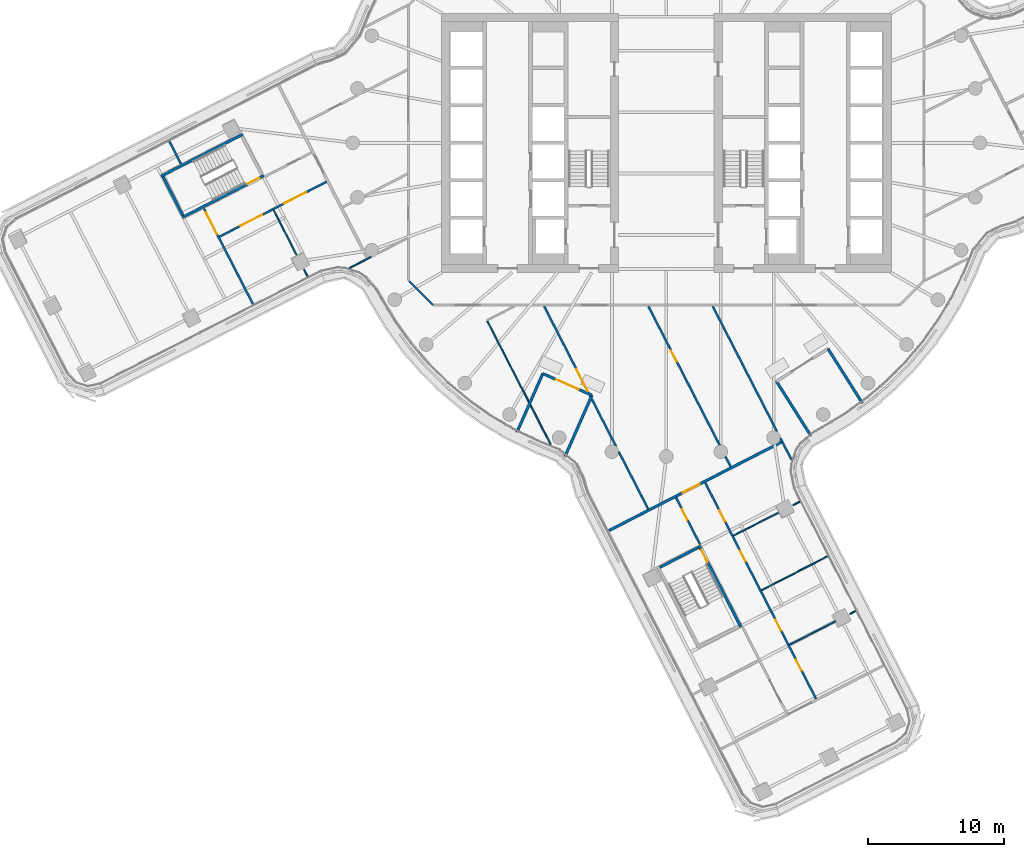
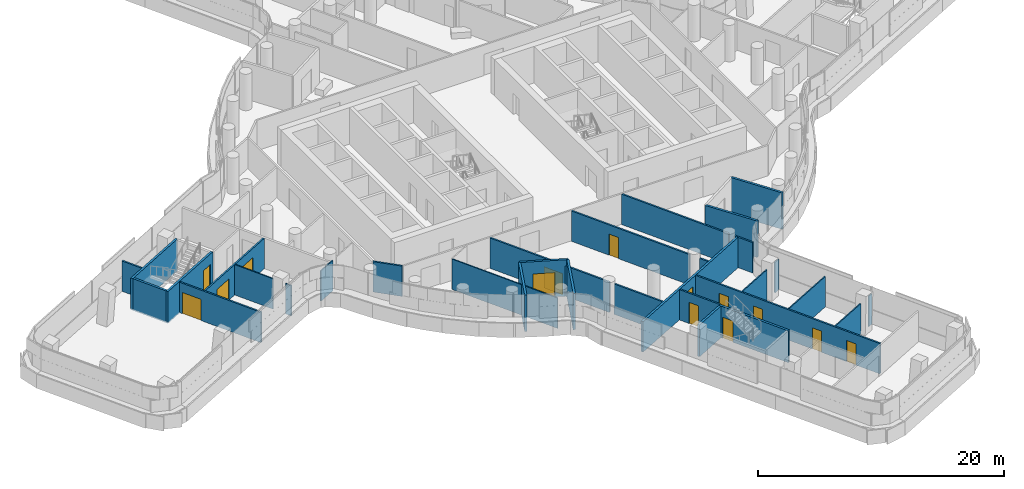
# One storey, part 22 of 37: 32 walls, 14 doors, 14 openings.
"""IFC4 building model written with IfcOpenShell, lengths in metres."""

from ifc_helpers import new_model, si_unit, direction, frame, frame_2d, origin, place, context, subcontext, project, spatial, polyline, rectangle, outline, extrude, material, layer, layer_set, type_object, element, fill, save


model = new_model("IFC4")

# Units and contexts
model_context = context("Model", 3, precision=1e-05, world=origin(), true_north=direction((0.0, 1.0)))
body_context = subcontext(model_context, "Body", "Model", "MODEL_VIEW")
ifc_project = project(units=[si_unit("LENGTHUNIT", "METRE"), si_unit("AREAUNIT", "SQUARE_METRE"), si_unit("VOLUMEUNIT", "CUBIC_METRE"), si_unit("PLANEANGLEUNIT", "RADIAN"), si_unit("MASSUNIT", "GRAM", prefix="KILO")], contexts=[model_context])

# Site, building, storey
site_placement = place(None, origin())
site = spatial("IfcSite", under=ifc_project, at=site_placement, CompositionType="ELEMENT")
building_placement = place(site_placement, origin())
building = spatial("IfcBuilding", under=site, at=building_placement, Name="Tamarind Cross Interchange Tower", CompositionType="ELEMENT")
storey_placement = place(building_placement, frame((0.0, 0.0, 133.0)))
storey = spatial("IfcBuildingStorey", under=building, at=storey_placement, Name="L32", CompositionType="ELEMENT", Elevation=133.0)

# Walls
ifc_material_1 = material(Name="Concrete C40", Category="concrete")
ifc_layer_1 = layer(ifc_material_1, 0.199951171875)
ifc_layer_set_1 = layer_set([ifc_layer_1], Name="Concrete C40")
wall_type_1 = type_object("IfcWallType", Name="Balcony and garden door wall", PredefinedType="SOLIDWALL", material=ifc_layer_set_1)
wall_1_placement = place(storey_placement, frame((8.0732421875, -17.48193359375, 0.0), z_axis=(0.0, 0.0, 1.0), x_axis=(0.534101065581, -0.845420635982, 0.0)))
element("IfcWall", 1, at=wall_1_placement, inside=storey, type_object=wall_type_1, Name="EXW-L32-WG-L32-SE-R0", PredefinedType="SOLIDWALL", context=body_context, shape_type="SweptSolid", body=[
    extrude(rectangle(XDim=4.75927734375, YDim=0.199951171875, at=frame_2d((2.379638671875, 0.0))), origin(), (0.0, 0.0, 1.0), 3.610107421875),
])
wall_2_placement = place(storey_placement, frame((11.85302734375, -15.09423828125, 0.0), z_axis=(0.0, 0.0, 1.0), x_axis=(0.534084671669, -0.845430992742, 0.0)))
element("IfcWall", 2, at=wall_2_placement, inside=storey, type_object=wall_type_1, Name="EXW-L32-WG-L32-SE-R1", PredefinedType="SOLIDWALL", context=body_context, shape_type="SweptSolid", body=[
    extrude(rectangle(XDim=4.708740234375, YDim=0.199951171875, at=frame_2d((2.3544921875, 0.0))), origin(), (0.0, 0.0, 1.0), 3.610107421875),
])

# Wall, opening, door
wall_3_placement = place(storey_placement, frame((-9.061279296875, -16.91796875, 0.0), z_axis=(0.0, 0.0, 1.0), x_axis=(0.915163294104, -0.403083297999, 0.0)))
wall_3 = element("IfcWall", 3, at=wall_3_placement, inside=storey, type_object=wall_type_1, Name="EXW-L32-WG-L32-WS", PredefinedType="SOLIDWALL", context=body_context, shape_type="SweptSolid", body=[
    extrude(rectangle(XDim=3.93994140625, YDim=0.199951171875, at=frame_2d((1.969970703125, 0.0))), origin(), (0.0, 0.0, 1.0), 3.610107421875),
])
opening_1_placement = place(wall_3_placement, frame((1.070068359375, 0.0, 0.0)))
opening_1 = element("IfcOpeningElement", 4, at=opening_1_placement, cuts=wall_3, Name="Opening D5", PredefinedType="OPENING", context=body_context, shape_type="SweptSolid", body=[
    extrude(rectangle(XDim=1.800048828125, YDim=2.39990234375, at=frame_2d((0.89990234375, 1.199951171875))), frame((0.0, 0.10986328125, 0.0), z_axis=(0.0, -1.0, 0.0), x_axis=(1.0, 0.0, 0.0)), (0.0, 0.0, 1.0), 0.219970703125),
])
ifc_material_2 = material(Name="Aluminium and toughened glass", Category="aluminium")
door_type_1 = type_object("IfcDoorType", Name="Roof garden door", OperationType="DOUBLE_DOOR_SINGLE_SWING", PredefinedType="DOOR", material=ifc_material_2)
door_1_placement = place(opening_1_placement, origin())
door_1 = element("IfcDoor", 5, at=door_1_placement, inside=storey, type_object=door_type_1, Name="DOR-L32-WG-L32-WS", OperationType="SINGLE_SWING_LEFT", OverallHeight=2.39990234375, OverallWidth=1.800048828125, PredefinedType="DOOR", context=body_context, shape_type="SweptSolid", body=[
    extrude(rectangle(XDim=1.800048828125, YDim=2.39990234375, at=frame_2d((0.89990234375, 1.199951171875))), frame((0.0, 0.02490234375, 0.0), z_axis=(0.0, -1.0, 0.0), x_axis=(1.0, 0.0, 0.0)), (0.0, 0.0, 1.0), 0.050048828125),
])
fill(opening_1, door_1)

# Walls
wall_4_placement = place(storey_placement, frame((-9.0615234375, -16.91796875, 0.0), z_axis=(0.0, 0.0, 1.0), x_axis=(-0.40309695737, -0.915157277717, 0.0)))
element("IfcWall", 6, at=wall_4_placement, inside=storey, type_object=wall_type_1, Name="EXW-L32-WG-L32-WS-R0", PredefinedType="SOLIDWALL", context=body_context, shape_type="SweptSolid", body=[
    extrude(rectangle(XDim=4.702880859375, YDim=0.199951171875, at=frame_2d((2.3515625, 0.0))), origin(), (0.0, 0.0, 1.0), 3.610107421875),
])
wall_5_placement = place(storey_placement, frame((-5.45556640625, -18.506103515625, 0.0), z_axis=(0.0, 0.0, 1.0), x_axis=(-0.403071348588, -0.915168557124, 0.0)))
element("IfcWall", 7, at=wall_5_placement, inside=storey, type_object=wall_type_1, Name="EXW-L32-WG-L32-WS-R1", PredefinedType="SOLIDWALL", context=body_context, shape_type="SweptSolid", body=[
    extrude(rectangle(XDim=4.892822265625, YDim=0.199951171875, at=frame_2d((2.4462890625, 0.0))), origin(), (0.0, 0.0, 1.0), 3.610107421875),
])
ifc_material_3 = material(Name="Gypsum board partition on steel studs", Category="steel")
ifc_layer_2 = layer(ifc_material_3, 0.10009765625)
ifc_layer_set_2 = layer_set([ifc_layer_2], Name="Gypsum board partition on steel studs")
wall_type_2 = type_object("IfcWallType", Name="Partition 100 mm EI 90", PredefinedType="PARTITIONING", material=ifc_layer_set_2)
wall_6_placement = place(storey_placement, frame((-28.802734375, -4.923583984375, 0.0), z_axis=(0.0, 0.0, 1.0), x_axis=(0.456510977647, -0.889717779573, 0.0)))
element("IfcWall", 8, at=wall_6_placement, inside=storey, type_object=wall_type_2, Name="Partition L32-003", PredefinedType="PARTITIONING", context=body_context, shape_type="SweptSolid", body=[
    extrude(rectangle(XDim=3.697998046875, YDim=0.10009765625, at=frame_2d((1.84912109375, 0.0))), origin(), (0.0, 0.0, 1.0), 3.010009765625),
])
wall_7_placement = place(storey_placement, frame((-26.569580078125, -9.2763671875, 0.0), z_axis=(0.0, 0.0, 1.0), x_axis=(0.456869393686, -0.889533786381, 0.0)))
element("IfcWall", 9, at=wall_7_placement, inside=storey, type_object=wall_type_2, Name="Partition L32-004", PredefinedType="PARTITIONING", context=body_context, shape_type="SweptSolid", body=[
    extrude(rectangle(XDim=0.56494140625, YDim=0.10009765625, at=frame_2d((0.282470703125, 0.0))), origin(), (0.0, 0.0, 1.0), 3.010009765625),
])
wall_8_placement = place(storey_placement, frame((-13.130126953125, -13.05859375, 0.0), z_axis=(0.0, 0.0, 1.0), x_axis=(0.456518382735, -0.88971398001, 0.0)))
element("IfcWall", 10, at=wall_8_placement, inside=storey, type_object=wall_type_2, Name="Partition L32-006", PredefinedType="PARTITIONING", context=body_context, shape_type="SweptSolid", body=[
    extrude(rectangle(XDim=10.19580078125, YDim=0.10009765625, at=frame_2d((5.097900390625, 0.0))), origin(), (0.0, 0.0, 1.0), 3.010009765625),
])
wall_9_placement = place(storey_placement, frame((-23.2353515625, -9.175537109375, 0.0), z_axis=(0.0, 0.0, 1.0), x_axis=(0.889731557273, 0.456484124578, 0.0)))
element("IfcWall", 11, at=wall_9_placement, inside=storey, type_object=wall_type_2, Name="Partition L32-044", PredefinedType="PARTITIONING", context=body_context, shape_type="SweptSolid", body=[
    extrude(rectangle(XDim=1.775634765625, YDim=0.10009765625, at=frame_2d((0.8876953125, 0.0))), origin(), (0.0, 0.0, 1.0), 3.010009765625),
])
wall_10_placement = place(storey_placement, frame((9.032958984375, -36.810302734375, 0.0), z_axis=(0.0, 0.0, 1.0), x_axis=(0.889728687262, 0.456489718464, 0.0)))
element("IfcWall", 12, at=wall_10_placement, inside=storey, type_object=wall_type_2, Name="Partition L32-059", PredefinedType="PARTITIONING", context=body_context, shape_type="SweptSolid", body=[
    extrude(rectangle(XDim=3.780029296875, YDim=0.10009765625, at=frame_2d((1.89013671875, 0.0))), origin(), (0.0, 0.0, 1.0), 3.010009765625),
])
wall_11_placement = place(storey_placement, frame((13.458251953125, -34.539794921875, 0.0), z_axis=(0.0, 0.0, 1.0), x_axis=(0.889768357332, 0.456412390598, 0.0)))
element("IfcWall", 13, at=wall_11_placement, inside=storey, type_object=wall_type_2, Name="Partition L32-060", PredefinedType="PARTITIONING", context=body_context, shape_type="SweptSolid", body=[
    extrude(rectangle(XDim=0.4658203125, YDim=0.10009765625, at=frame_2d((0.23291015625, 0.0))), origin(), (0.0, 0.0, 1.0), 3.010009765625),
])
wall_12_placement = place(storey_placement, frame((4.92822265625, -28.800537109375, 0.0), z_axis=(0.0, 0.0, 1.0), x_axis=(0.88969767161, 0.456550164968, 0.0)))
element("IfcWall", 14, at=wall_12_placement, inside=storey, type_object=wall_type_2, Name="Partition L32-062", PredefinedType="PARTITIONING", context=body_context, shape_type="SweptSolid", body=[
    extrude(rectangle(XDim=3.69287109375, YDim=0.10009765625, at=frame_2d((1.846435546875, 0.0))), origin(), (0.0, 0.0, 1.0), 3.010009765625),
])
wall_13_placement = place(storey_placement, frame((9.2763671875, -26.569580078125, 0.0), z_axis=(0.0, 0.0, 1.0), x_axis=(0.889533786381, 0.456869393686, 0.0)))
element("IfcWall", 15, at=wall_13_placement, inside=storey, type_object=wall_type_2, Name="Partition L32-063", PredefinedType="PARTITIONING", context=body_context, shape_type="SweptSolid", body=[
    extrude(rectangle(XDim=0.56494140625, YDim=0.10009765625, at=frame_2d((0.282470703125, 0.0))), origin(), (0.0, 0.0, 1.0), 3.010009765625),
])
wall_14_placement = place(storey_placement, frame((6.982177734375, -32.803466796875, 0.0), z_axis=(0.0, 0.0, 1.0), x_axis=(0.889704900223, 0.456536078004, 0.0)))
element("IfcWall", 16, at=wall_14_placement, inside=storey, type_object=wall_type_2, Name="Partition L32-064", PredefinedType="PARTITIONING", context=body_context, shape_type="SweptSolid", body=[
    extrude(rectangle(XDim=5.443359375, YDim=0.10009765625, at=frame_2d((2.7216796875, 0.0))), origin(), (0.0, 0.0, 1.0), 3.010009765625),
])
ifc_layer_3 = layer(ifc_material_3, 0.14990234375)
ifc_layer_set_3 = layer_set([ifc_layer_3], Name="Gypsum board partition on steel studs")
wall_type_3 = type_object("IfcWallType", Name="Partition 150 mm EI 120", PredefinedType="PARTITIONING", material=ifc_layer_set_3)
wall_15_placement = place(storey_placement, frame((-36.446533203125, 0.1162109375, 0.0), z_axis=(0.0, 0.0, 1.0), x_axis=(0.456697932763, -0.889621828762, 0.0)))
element("IfcWall", 17, at=wall_15_placement, inside=storey, type_object=wall_type_3, Name="Partition L32-001", PredefinedType="PARTITIONING", context=body_context, shape_type="SweptSolid", body=[
    extrude(rectangle(XDim=1.858642578125, YDim=0.14990234375, at=frame_2d((0.92919921875, 0.0))), origin(), (0.0, 0.0, 1.0), 3.010009765625),
])

# Wall, opening, door
wall_16_placement = place(storey_placement, frame((-33.916748046875, -4.8115234375, 0.0), z_axis=(0.0, 0.0, 1.0), x_axis=(0.456714601122, -0.889613271665, 0.0)))
wall_16 = element("IfcWall", 18, at=wall_16_placement, inside=storey, type_object=wall_type_3, Name="Partition L32-002", PredefinedType="PARTITIONING", context=body_context, shape_type="SweptSolid", body=[
    extrude(rectangle(XDim=7.883056640625, YDim=0.14990234375, at=frame_2d((3.94140625, 0.0))), origin(), (0.0, 0.0, 1.0), 3.010009765625),
])
opening_2_placement = place(wall_16_placement, frame((0.300048828125, 0.0, 0.0)))
opening_2 = element("IfcOpeningElement", 19, at=opening_2_placement, cuts=wall_16, Name="Opening D01", PredefinedType="OPENING", context=body_context, shape_type="SweptSolid", body=[
    extrude(rectangle(XDim=1.800048828125, YDim=2.10009765625, at=frame_2d((0.89990234375, 1.050048828125))), frame((0.0, 0.0849609375, 0.0), z_axis=(0.0, -1.0, 0.0), x_axis=(1.0, 0.0, 0.0)), (0.0, 0.0, 1.0), 0.169921875),
])
ifc_material_4 = material(Name="Fire-resisting door set")
door_type_2 = type_object("IfcDoorType", Name="Interior door 1800 x 2100 FD60S", OperationType="DOUBLE_DOOR_SINGLE_SWING", PredefinedType="DOOR", material=ifc_material_4)
door_2_placement = place(opening_2_placement, frame((1.800048828125, 0.0, 0.0), z_axis=(0.0, 0.0, 1.0), x_axis=(-1.0, 0.0, 0.0)))
door_2 = element("IfcDoor", 20, at=door_2_placement, inside=storey, type_object=door_type_2, Name="Door D01", OperationType="DOUBLE_DOOR_SINGLE_SWING", OverallHeight=2.10009765625, OverallWidth=1.800048828125, PredefinedType="DOOR", context=body_context, shape_type="SweptSolid", body=[
    extrude(rectangle(XDim=1.800048828125, YDim=2.10009765625, at=frame_2d((0.89990234375, 1.050048828125))), frame((0.0, 0.02490234375, 0.0), z_axis=(0.0, -1.0, 0.0), x_axis=(1.0, 0.0, 0.0)), (0.0, 0.0, 1.0), 0.050048828125),
])
fill(opening_2, door_2)

wall_17_placement = place(storey_placement, frame((-8.9560546875, -11.993408203125, 0.0), z_axis=(0.0, 0.0, 1.0), x_axis=(0.456540854067, -0.889702449456, 0.0)))
wall_17 = element("IfcWall", 21, at=wall_17_placement, inside=storey, type_object=wall_type_3, Name="Partition L32-009", PredefinedType="PARTITIONING", context=body_context, shape_type="SweptSolid", body=[
    extrude(rectangle(XDim=11.5390625, YDim=0.14990234375, at=frame_2d((5.76953125, 0.0))), origin(), (0.0, 0.0, 1.0), 3.010009765625),
])
opening_3_placement = place(wall_17_placement, frame((5.195068359375, 0.0, 0.0)))
opening_3 = element("IfcOpeningElement", 22, at=opening_3_placement, cuts=wall_17, Name="Opening D03", PredefinedType="OPENING", context=body_context, shape_type="SweptSolid", body=[
    extrude(rectangle(XDim=1.800048828125, YDim=2.10009765625, at=frame_2d((0.89990234375, 1.050048828125))), frame((0.0, 0.0849609375, 0.0), z_axis=(0.0, -1.0, 0.0), x_axis=(1.0, 0.0, 0.0)), (0.0, 0.0, 1.0), 0.169921875),
])
door_3_placement = place(opening_3_placement, frame((1.800048828125, 0.0, 0.0), z_axis=(0.0, 0.0, 1.0), x_axis=(-1.0, 0.0, 0.0)))
door_3 = element("IfcDoor", 23, at=door_3_placement, inside=storey, type_object=door_type_2, Name="Door D03", OperationType="DOUBLE_DOOR_SINGLE_SWING", OverallHeight=2.10009765625, OverallWidth=1.800048828125, PredefinedType="DOOR", context=body_context, shape_type="SweptSolid", body=[
    extrude(rectangle(XDim=1.800048828125, YDim=2.10009765625, at=frame_2d((0.89990234375, 1.050048828125))), frame((0.0, 0.02490234375, 0.0), z_axis=(0.0, -1.0, 0.0), x_axis=(1.0, 0.0, 0.0)), (0.0, 0.0, 1.0), 0.050048828125),
])
fill(opening_3, door_3)

# Wall
wall_18_placement = place(storey_placement, frame((-3.485107421875, -22.655029296875, 0.0), z_axis=(0.0, 0.0, 1.0), x_axis=(0.456522971759, -0.889711625335, 0.0)))
element("IfcWall", 24, at=wall_18_placement, inside=storey, type_object=wall_type_3, Name="Partition L32-010", PredefinedType="PARTITIONING", context=body_context, shape_type="SweptSolid", body=[
    extrude(rectangle(XDim=4.708251953125, YDim=0.14990234375, at=frame_2d((2.35400390625, 0.0))), origin(), (0.0, 0.0, 1.0), 3.010009765625),
])

# Wall, opening, door
wall_19_placement = place(storey_placement, frame((-1.31298828125, -11.993408203125, 0.0), z_axis=(0.0, 0.0, 1.0), x_axis=(0.456517816725, -0.889714270433, 0.0)))
wall_19 = element("IfcWall", 25, at=wall_19_placement, inside=storey, type_object=wall_type_3, Name="Partition L32-017", PredefinedType="PARTITIONING", context=body_context, shape_type="SweptSolid", body=[
    extrude(rectangle(XDim=11.431640625, YDim=0.14990234375, at=frame_2d((5.7158203125, 0.0))), origin(), (0.0, 0.0, 1.0), 3.010009765625),
])
opening_4_placement = place(wall_19_placement, frame((3.64501953125, 0.0, 0.0)))
opening_4 = element("IfcOpeningElement", 26, at=opening_4_placement, cuts=wall_19, Name="Opening D09", PredefinedType="OPENING", context=body_context, shape_type="SweptSolid", body=[
    extrude(rectangle(XDim=0.89990234375, YDim=2.10009765625, at=frame_2d((0.449951171875, 1.050048828125))), frame((0.0, 0.0849609375, 0.0), z_axis=(0.0, -1.0, 0.0), x_axis=(1.0, 0.0, 0.0)), (0.0, 0.0, 1.0), 0.169921875),
])
door_type_3 = type_object("IfcDoorType", Name="Interior door 900 x 2100 FD60S", OperationType="SINGLE_SWING_LEFT", PredefinedType="DOOR", material=ifc_material_4)
door_4_placement = place(opening_4_placement, origin())
door_4 = element("IfcDoor", 27, at=door_4_placement, inside=storey, type_object=door_type_3, Name="Door D09", OperationType="SINGLE_SWING_RIGHT", OverallHeight=2.10009765625, OverallWidth=0.89990234375, PredefinedType="DOOR", context=body_context, shape_type="SweptSolid", body=[
    extrude(rectangle(XDim=0.89990234375, YDim=2.10009765625, at=frame_2d((0.449951171875, 1.050048828125))), frame((0.0, 0.02490234375, 0.0), z_axis=(0.0, -1.0, 0.0), x_axis=(1.0, 0.0, 0.0)), (0.0, 0.0, 1.0), 0.050048828125),
])
fill(opening_4, door_4)

# Wall
wall_20_placement = place(storey_placement, frame((4.3369140625, -23.00439453125, 0.0), z_axis=(0.0, 0.0, 1.0), x_axis=(0.456575953503, -0.889684437698, 0.0)))
element("IfcWall", 28, at=wall_20_placement, inside=storey, type_object=wall_type_3, Name="Partition L32-018", PredefinedType="PARTITIONING", context=body_context, shape_type="SweptSolid", body=[
    extrude(rectangle(XDim=0.82177734375, YDim=0.14990234375, at=frame_2d((0.410888671875, 0.0))), origin(), (0.0, 0.0, 1.0), 3.010009765625),
])

# Wall, opening, door
wall_21_placement = place(storey_placement, frame((0.712646484375, -26.01806640625, 0.0), z_axis=(0.0, 0.0, 1.0), x_axis=(0.456676166245, -0.889633002526, 0.0)))
wall_21 = element("IfcWall", 29, at=wall_21_placement, inside=storey, type_object=wall_type_3, Name="Partition L32-020", PredefinedType="PARTITIONING", context=body_context, shape_type="SweptSolid", body=[
    extrude(rectangle(XDim=3.85986328125, YDim=0.14990234375, at=frame_2d((1.929931640625, 0.0))), origin(), (0.0, 0.0, 1.0), 3.010009765625),
])
opening_5_placement = place(wall_21_placement, frame((0.949951171875, 0.0, 0.0)))
opening_5 = element("IfcOpeningElement", 30, at=opening_5_placement, cuts=wall_21, Name="Opening D11", PredefinedType="OPENING", context=body_context, shape_type="SweptSolid", body=[
    extrude(rectangle(XDim=0.89990234375, YDim=2.10009765625, at=frame_2d((0.449951171875, 1.050048828125))), frame((0.0, 0.0849609375, 0.0), z_axis=(0.0, -1.0, 0.0), x_axis=(1.0, 0.0, 0.0)), (0.0, 0.0, 1.0), 0.169921875),
])
door_5_placement = place(opening_5_placement, frame((0.89990234375, 0.0, 0.0), z_axis=(0.0, 0.0, 1.0), x_axis=(-1.0, 0.0, 0.0)))
door_5 = element("IfcDoor", 31, at=door_5_placement, inside=storey, type_object=door_type_3, Name="Door D11", OperationType="SINGLE_SWING_LEFT", OverallHeight=2.10009765625, OverallWidth=0.89990234375, PredefinedType="DOOR", context=body_context, shape_type="SweptSolid", body=[
    extrude(rectangle(XDim=0.89990234375, YDim=2.10009765625, at=frame_2d((0.449951171875, 1.050048828125))), frame((0.0, 0.02490234375, 0.0), z_axis=(0.0, -1.0, 0.0), x_axis=(1.0, 0.0, 0.0)), (0.0, 0.0, 1.0), 0.050048828125),
])
fill(opening_5, door_5)

# Wall, openings, doors
wall_22_placement = place(storey_placement, frame((2.8486328125, -24.922119140625, 0.0), z_axis=(0.0, 0.0, 1.0), x_axis=(0.456500214421, -0.889723302063, 0.0)))
wall_22 = element("IfcWall", 32, at=wall_22_placement, inside=storey, type_object=wall_type_3, Name="Partition L32-024", PredefinedType="PARTITIONING", context=body_context, shape_type="SweptSolid", body=[
    extrude(rectangle(XDim=17.81982421875, YDim=0.14990234375, at=frame_2d((8.909912109375, 0.0))), origin(), (0.0, 0.0, 1.0), 3.010009765625),
])
opening_6_placement = place(wall_22_placement, frame((2.300048828125, 0.0, 0.0)))
opening_6 = element("IfcOpeningElement", 33, at=opening_6_placement, cuts=wall_22, Name="Opening D15", PredefinedType="OPENING", context=body_context, shape_type="SweptSolid", body=[
    extrude(rectangle(XDim=0.89990234375, YDim=2.10009765625, at=frame_2d((0.449951171875, 1.050048828125))), frame((0.0, 0.0849609375, 0.0), z_axis=(0.0, -1.0, 0.0), x_axis=(1.0, 0.0, 0.0)), (0.0, 0.0, 1.0), 0.169921875),
])
opening_7_placement = place(wall_22_placement, frame((5.60009765625, 0.0, 0.0)))
opening_7 = element("IfcOpeningElement", 34, at=opening_7_placement, cuts=wall_22, Name="Opening D16", PredefinedType="OPENING", context=body_context, shape_type="SweptSolid", body=[
    extrude(rectangle(XDim=0.89990234375, YDim=2.10009765625, at=frame_2d((0.449951171875, 1.050048828125))), frame((0.0, 0.0849609375, 0.0), z_axis=(0.0, -1.0, 0.0), x_axis=(1.0, 0.0, 0.0)), (0.0, 0.0, 1.0), 0.169921875),
])
opening_8_placement = place(wall_22_placement, frame((11.29931640625, 0.0, 0.0)))
opening_8 = element("IfcOpeningElement", 35, at=opening_8_placement, cuts=wall_22, Name="Opening D17", PredefinedType="OPENING", context=body_context, shape_type="SweptSolid", body=[
    extrude(rectangle(XDim=0.89990234375, YDim=2.10009765625, at=frame_2d((0.449951171875, 1.050048828125))), frame((0.0, 0.0849609375, 0.0), z_axis=(0.0, -1.0, 0.0), x_axis=(1.0, 0.0, 0.0)), (0.0, 0.0, 1.0), 0.169921875),
])
opening_9_placement = place(wall_22_placement, frame((14.599853515625, 0.0, 0.0)))
opening_9 = element("IfcOpeningElement", 36, at=opening_9_placement, cuts=wall_22, Name="Opening D18", PredefinedType="OPENING", context=body_context, shape_type="SweptSolid", body=[
    extrude(rectangle(XDim=0.89990234375, YDim=2.10009765625, at=frame_2d((0.449951171875, 1.050048828125))), frame((0.0, 0.0849609375, 0.0), z_axis=(0.0, -1.0, 0.0), x_axis=(1.0, 0.0, 0.0)), (0.0, 0.0, 1.0), 0.169921875),
])
door_6_placement = place(opening_6_placement, origin())
door_6 = element("IfcDoor", 37, at=door_6_placement, inside=storey, type_object=door_type_3, Name="Door D15", OperationType="SINGLE_SWING_RIGHT", OverallHeight=2.10009765625, OverallWidth=0.89990234375, PredefinedType="DOOR", context=body_context, shape_type="SweptSolid", body=[
    extrude(rectangle(XDim=0.89990234375, YDim=2.10009765625, at=frame_2d((0.449951171875, 1.050048828125))), frame((0.0, 0.02490234375, 0.0), z_axis=(0.0, -1.0, 0.0), x_axis=(1.0, 0.0, 0.0)), (0.0, 0.0, 1.0), 0.050048828125),
])
fill(opening_6, door_6)
door_7_placement = place(opening_7_placement, origin())
door_7 = element("IfcDoor", 38, at=door_7_placement, inside=storey, type_object=door_type_3, Name="Door D16", OperationType="SINGLE_SWING_RIGHT", OverallHeight=2.10009765625, OverallWidth=0.89990234375, PredefinedType="DOOR", context=body_context, shape_type="SweptSolid", body=[
    extrude(rectangle(XDim=0.89990234375, YDim=2.10009765625, at=frame_2d((0.449951171875, 1.050048828125))), frame((0.0, 0.02490234375, 0.0), z_axis=(0.0, -1.0, 0.0), x_axis=(1.0, 0.0, 0.0)), (0.0, 0.0, 1.0), 0.050048828125),
])
fill(opening_7, door_7)
door_8_placement = place(opening_8_placement, origin())
door_8 = element("IfcDoor", 39, at=door_8_placement, inside=storey, type_object=door_type_3, Name="Door D17", OperationType="SINGLE_SWING_LEFT", OverallHeight=2.10009765625, OverallWidth=0.89990234375, PredefinedType="DOOR", context=body_context, shape_type="SweptSolid", body=[
    extrude(rectangle(XDim=0.89990234375, YDim=2.10009765625, at=frame_2d((0.449951171875, 1.050048828125))), frame((0.0, 0.02490234375, 0.0), z_axis=(0.0, -1.0, 0.0), x_axis=(1.0, 0.0, 0.0)), (0.0, 0.0, 1.0), 0.050048828125),
])
fill(opening_8, door_8)
door_9_placement = place(opening_9_placement, origin())
door_9 = element("IfcDoor", 40, at=door_9_placement, inside=storey, type_object=door_type_3, Name="Door D18", OperationType="SINGLE_SWING_LEFT", OverallHeight=2.10009765625, OverallWidth=0.89990234375, PredefinedType="DOOR", context=body_context, shape_type="SweptSolid", body=[
    extrude(rectangle(XDim=0.89990234375, YDim=2.10009765625, at=frame_2d((0.449951171875, 1.050048828125))), frame((0.0, 0.02490234375, 0.0), z_axis=(0.0, -1.0, 0.0), x_axis=(1.0, 0.0, 0.0)), (0.0, 0.0, 1.0), 0.050048828125),
])
fill(opening_9, door_9)

# Walls
wall_23_placement = place(storey_placement, frame((3.406982421875, -11.993408203125, 0.0), z_axis=(0.0, 0.0, 1.0), x_axis=(0.456609270215, -0.889667339152, 0.0)))
element("IfcWall", 41, at=wall_23_placement, inside=storey, type_object=wall_type_3, Name="Partition L32-025", PredefinedType="PARTITIONING", context=body_context, shape_type="SweptSolid", body=[
    extrude(rectangle(XDim=10.314453125, YDim=0.14990234375, at=frame_2d((5.1572265625, 0.0))), origin(), (0.0, 0.0, 1.0), 3.010009765625),
])
wall_24_placement = place(storey_placement, frame((8.365234375, -21.654541015625, 0.0), z_axis=(0.0, 0.0, 1.0), x_axis=(0.456704681847, -0.889618364007, 0.0)))
element("IfcWall", 42, at=wall_24_placement, inside=storey, type_object=wall_type_3, Name="Partition L32-026", PredefinedType="PARTITIONING", context=body_context, shape_type="SweptSolid", body=[
    extrude(rectangle(XDim=1.775390625, YDim=0.14990234375, at=frame_2d((0.8876953125, 0.0))), origin(), (0.0, 0.0, 1.0), 3.010009765625),
])
wall_25_placement = place(storey_placement, frame((-18.87158203125, -10.12841796875, 0.0), z_axis=(0.0, 0.0, 1.0), x_axis=(0.707106781187, -0.707106781187, 0.0)))
element("IfcWall", 43, at=wall_25_placement, inside=storey, type_object=wall_type_3, Name="Partition L32-034", PredefinedType="PARTITIONING", context=body_context, shape_type="SweptSolid", body=[
    extrude(rectangle(XDim=2.465087890625, YDim=0.14990234375, at=frame_2d((1.232421875, 0.0))), origin(), (0.0, 0.0, 1.0), 3.010009765625),
])

# Wall, openings, doors
wall_26_placement = place(storey_placement, frame((-32.768798828125, -6.87451171875, 0.0), z_axis=(0.0, 0.0, 1.0), x_axis=(0.889705612148, 0.45653469059, 0.0)))
wall_26 = element("IfcWall", 44, at=wall_26_placement, inside=storey, type_object=wall_type_3, Name="Partition L32-038", PredefinedType="PARTITIONING", context=body_context, shape_type="SweptSolid", body=[
    extrude(rectangle(XDim=8.8193359375, YDim=0.14990234375, at=frame_2d((4.40966796875, 0.0))), origin(), (0.0, 0.0, 1.0), 3.010009765625),
])
opening_10_placement = place(wall_26_placement, frame((1.719970703125, 0.0, 0.0)))
opening_10 = element("IfcOpeningElement", 45, at=opening_10_placement, cuts=wall_26, Name="Opening D27", PredefinedType="OPENING", context=body_context, shape_type="SweptSolid", body=[
    extrude(rectangle(XDim=1.800048828125, YDim=2.10009765625, at=frame_2d((0.89990234375, 1.050048828125))), frame((0.0, 0.0849609375, 0.0), z_axis=(0.0, -1.0, 0.0), x_axis=(1.0, 0.0, 0.0)), (0.0, 0.0, 1.0), 0.169921875),
])
opening_11_placement = place(wall_26_placement, frame((5.319091796875, 0.0, 0.0)))
opening_11 = element("IfcOpeningElement", 46, at=opening_11_placement, cuts=wall_26, Name="Opening D28", PredefinedType="OPENING", context=body_context, shape_type="SweptSolid", body=[
    extrude(rectangle(XDim=1.800048828125, YDim=2.10009765625, at=frame_2d((0.89990234375, 1.050048828125))), frame((0.0, 0.0849609375, 0.0), z_axis=(0.0, -1.0, 0.0), x_axis=(1.0, 0.0, 0.0)), (0.0, 0.0, 1.0), 0.169921875),
])
door_10_placement = place(opening_10_placement, frame((1.800048828125, 0.0, 0.0), z_axis=(0.0, 0.0, 1.0), x_axis=(-1.0, 0.0, 0.0)))
door_10 = element("IfcDoor", 47, at=door_10_placement, inside=storey, type_object=door_type_2, Name="Door D27", OperationType="DOUBLE_DOOR_SINGLE_SWING", OverallHeight=2.10009765625, OverallWidth=1.800048828125, PredefinedType="DOOR", context=body_context, shape_type="SweptSolid", body=[
    extrude(rectangle(XDim=1.800048828125, YDim=2.10009765625, at=frame_2d((0.89990234375, 1.050048828125))), frame((0.0, 0.02490234375, 0.0), z_axis=(0.0, -1.0, 0.0), x_axis=(1.0, 0.0, 0.0)), (0.0, 0.0, 1.0), 0.050048828125),
])
fill(opening_10, door_10)
door_11_placement = place(opening_11_placement, frame((1.800048828125, 0.0, 0.0), z_axis=(0.0, 0.0, 1.0), x_axis=(-1.0, 0.0, 0.0)))
door_11 = element("IfcDoor", 48, at=door_11_placement, inside=storey, type_object=door_type_2, Name="Door D28", OperationType="DOUBLE_DOOR_SINGLE_SWING", OverallHeight=2.10009765625, OverallWidth=1.800048828125, PredefinedType="DOOR", context=body_context, shape_type="SweptSolid", body=[
    extrude(rectangle(XDim=1.800048828125, YDim=2.10009765625, at=frame_2d((0.89990234375, 1.050048828125))), frame((0.0, 0.02490234375, 0.0), z_axis=(0.0, -1.0, 0.0), x_axis=(1.0, 0.0, 0.0)), (0.0, 0.0, 1.0), 0.050048828125),
])
fill(opening_11, door_11)

# Wall, opening, door
ifc_layer_4 = layer(ifc_material_3, 0.199951171875)
ifc_layer_set_4 = layer_set([ifc_layer_4], Name="Gypsum board partition on steel studs")
wall_type_4 = type_object("IfcWallType", Name="Partition 200 mm EI 180", PredefinedType="PARTITIONING", material=ifc_layer_set_4)
wall_27_placement = place(storey_placement, frame((-4.22509765625, -28.439453125, 0.0), z_axis=(0.0, 0.0, 1.0), x_axis=(0.889694266908, 0.456556799787, 0.0)))
wall_27 = element("IfcWall", 49, at=wall_27_placement, inside=storey, type_object=wall_type_4, Name="Partition L32-056", PredefinedType="PARTITIONING", context=body_context, shape_type="SweptSolid", body=[
    extrude(rectangle(XDim=14.21923828125, YDim=0.199951171875, at=frame_2d((7.109619140625, 0.0))), origin(), (0.0, 0.0, 1.0), 3.010009765625),
])
opening_12_placement = place(wall_27_placement, frame((6.0986328125, 0.0, 0.0)))
opening_12 = element("IfcOpeningElement", 50, at=opening_12_placement, cuts=wall_27, Name="Opening D33", PredefinedType="OPENING", context=body_context, shape_type="SweptSolid", body=[
    extrude(rectangle(XDim=1.39990234375, YDim=2.10009765625, at=frame_2d((0.699951171875, 1.050048828125))), frame((0.0, 0.10986328125, 0.0), z_axis=(0.0, -1.0, 0.0), x_axis=(1.0, 0.0, 0.0)), (0.0, 0.0, 1.0), 0.219970703125),
])
door_type_4 = type_object("IfcDoorType", Name="Interior door 1400 x 2100 FD120S", OperationType="DOUBLE_DOOR_SINGLE_SWING", PredefinedType="DOOR", material=ifc_material_4)
door_12_placement = place(opening_12_placement, origin())
door_12 = element("IfcDoor", 51, at=door_12_placement, inside=storey, type_object=door_type_4, Name="Door D33", OperationType="DOUBLE_DOOR_SINGLE_SWING", OverallHeight=2.10009765625, OverallWidth=1.39990234375, PredefinedType="DOOR", context=body_context, shape_type="SweptSolid", body=[
    extrude(rectangle(XDim=1.39990234375, YDim=2.10009765625, at=frame_2d((0.699951171875, 1.050048828125))), frame((0.0, 0.02490234375, 0.0), z_axis=(0.0, -1.0, 0.0), x_axis=(1.0, 0.0, 0.0)), (0.0, 0.0, 1.0), 0.050048828125),
])
fill(opening_12, door_12)

ifc_layer_5 = layer(ifc_material_1, 0.199951171875)
ifc_layer_set_5 = layer_set([ifc_layer_5], Name="Concrete C40")
wall_type_5 = type_object("IfcWallType", Name="Stair shaft wall 200 mm Concrete C40", PredefinedType="SHEAR", material=ifc_layer_set_5)
wall_28_placement = place(storey_placement, frame((-29.533203125, -2.404541015625, -0.139892578125), z_axis=(0.0, 0.0, 1.0), x_axis=(-0.889699446703, -0.456546705756, 0.0)))
wall_28 = element("IfcWall", 52, at=wall_28_placement, inside=storey, type_object=wall_type_5, Name="Core wall CWL-L32-ST5-H", PredefinedType="SHEAR", context=body_context, shape_type="SweptSolid", body=[
    extrude(rectangle(XDim=6.699951171875, YDim=0.199951171875, at=frame_2d((3.35009765625, 0.0))), origin(), (0.0, 0.0, 1.0), 3.14990234375),
])
opening_13_placement = place(wall_28_placement, frame((0.35009765625, 0.0, 0.0)))
opening_13 = element("IfcOpeningElement", 53, at=opening_13_placement, cuts=wall_28, Name="Opening ST5L32", PredefinedType="OPENING", context=body_context, shape_type="SweptSolid", body=[
    extrude(rectangle(XDim=1.0, YDim=2.10009765625, at=frame_2d((0.5, 1.050048828125))), frame((0.0, 0.10986328125, 0.0), z_axis=(0.0, -1.0, 0.0), x_axis=(1.0, 0.0, 0.0)), (0.0, 0.0, 1.0), 0.219970703125),
])
ifc_material_5 = material(Name="Steel, fire-resisting", Category="steel")
door_type_5 = type_object("IfcDoorType", Name="Core fire door 1000 x 2100 FD90", OperationType="SINGLE_SWING_LEFT", PredefinedType="DOOR", material=ifc_material_5)
door_13_placement = place(opening_13_placement, origin())
door_13 = element("IfcDoor", 54, at=door_13_placement, inside=storey, type_object=door_type_5, Name="L32 stair door ST5", OperationType="SINGLE_SWING_LEFT", OverallHeight=2.10009765625, OverallWidth=1.0, PredefinedType="DOOR", context=body_context, shape_type="SweptSolid", body=[
    extrude(rectangle(XDim=1.0, YDim=2.10009765625, at=frame_2d((0.5, 1.050048828125))), frame((0.0, 0.02490234375, 0.0), z_axis=(0.0, -1.0, 0.0), x_axis=(1.0, 0.0, 0.0)), (0.0, 0.0, 1.0), 0.050048828125),
])
fill(opening_13, door_13)

# Walls
wall_29_placement = place(storey_placement, frame((-31.08544921875, 0.62060546875, -0.139892578125), z_axis=(0.0, 0.0, 1.0), x_axis=(-0.889684645268, -0.456575549033, 0.0)))
element("IfcWall", 55, at=wall_29_placement, inside=storey, type_object=wall_type_5, Name="Core wall CWL-L32-ST5-C", PredefinedType="SHEAR", context=body_context, shape_type="SweptSolid", body=[
    extrude(rectangle(XDim=6.699951171875, YDim=0.199951171875, at=frame_2d((3.35009765625, 0.0))), origin(), (0.0, 0.0, 1.0), 3.14990234375),
])
wall_30_placement = place(storey_placement, frame((0.0, 0.0, -0.139892578125)))
element("IfcWall", 56, at=wall_30_placement, inside=storey, type_object=wall_type_5, Name="Core wall CWL-L32-ST5-CF", PredefinedType="SHEAR", context=body_context, shape_type="SweptSolid", body=[
    extrude(outline(polyline([(-36.82275390625, -2.43603515625), (-37.000732421875, -2.52734375), (-35.539794921875, -5.37451171875), (-35.36181640625, -5.283203125), (-36.82275390625, -2.43603515625)])), origin(), (0.0, 0.0, 1.0), 3.14990234375),
])

# Wall, opening, door
wall_31_placement = place(storey_placement, frame((2.404541015625, -29.533203125, -0.139892578125), z_axis=(0.0, 0.0, 1.0), x_axis=(0.456546705756, -0.889699446703, 0.0)))
wall_31 = element("IfcWall", 57, at=wall_31_placement, inside=storey, type_object=wall_type_5, Name="Core wall CWL-L32-ST6-H", PredefinedType="SHEAR", context=body_context, shape_type="SweptSolid", body=[
    extrude(rectangle(XDim=6.699951171875, YDim=0.199951171875, at=frame_2d((3.35009765625, 0.0))), origin(), (0.0, 0.0, 1.0), 3.14990234375),
])
opening_14_placement = place(wall_31_placement, frame((0.35009765625, 0.0, 0.0)))
opening_14 = element("IfcOpeningElement", 58, at=opening_14_placement, cuts=wall_31, Name="Opening ST6L32", PredefinedType="OPENING", context=body_context, shape_type="SweptSolid", body=[
    extrude(rectangle(XDim=1.0, YDim=2.10009765625, at=frame_2d((0.5, 1.050048828125))), frame((0.0, 0.10986328125, 0.0), z_axis=(0.0, -1.0, 0.0), x_axis=(1.0, 0.0, 0.0)), (0.0, 0.0, 1.0), 0.219970703125),
])
door_14_placement = place(opening_14_placement, origin())
door_14 = element("IfcDoor", 59, at=door_14_placement, inside=storey, type_object=door_type_5, Name="L32 stair door ST6", OperationType="SINGLE_SWING_LEFT", OverallHeight=2.10009765625, OverallWidth=1.0, PredefinedType="DOOR", context=body_context, shape_type="SweptSolid", body=[
    extrude(rectangle(XDim=1.0, YDim=2.10009765625, at=frame_2d((0.5, 1.050048828125))), frame((0.0, 0.02490234375, 0.0), z_axis=(0.0, -1.0, 0.0), x_axis=(1.0, 0.0, 0.0)), (0.0, 0.0, 1.0), 0.050048828125),
])
fill(opening_14, door_14)

# Wall
wall_32_placement = place(storey_placement, frame((-0.48583984375, -31.128662109375, -0.139892578125), z_axis=(0.0, 0.0, 1.0), x_axis=(0.889693512727, 0.456558269459, 0.0)))
element("IfcWall", 60, at=wall_32_placement, inside=storey, type_object=wall_type_5, Name="Core wall CWL-L32-ST6-CE", PredefinedType="SHEAR", context=body_context, shape_type="SweptSolid", body=[
    extrude(rectangle(XDim=3.199951171875, YDim=0.199951171875, at=frame_2d((1.60009765625, 0.0))), origin(), (0.0, 0.0, 1.0), 3.14990234375),
])

save(model, "model.ifc")
